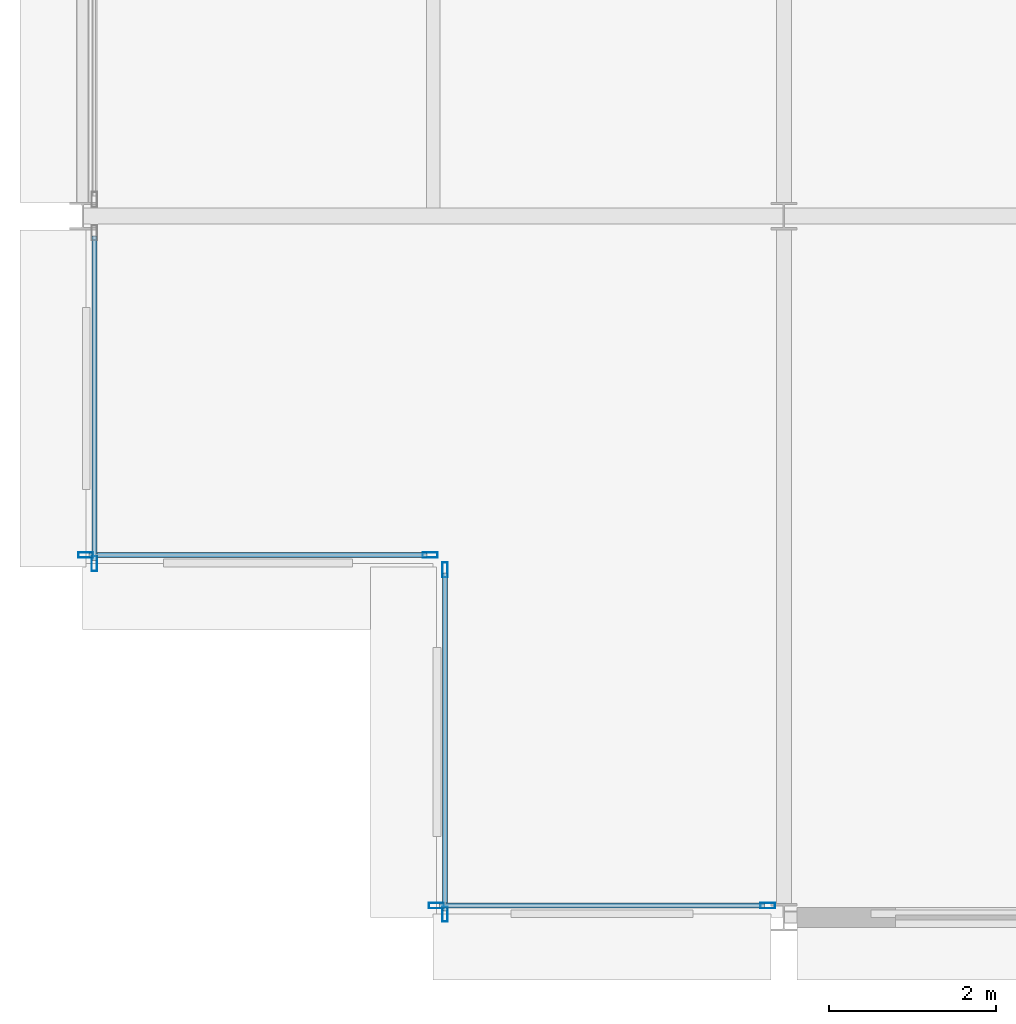
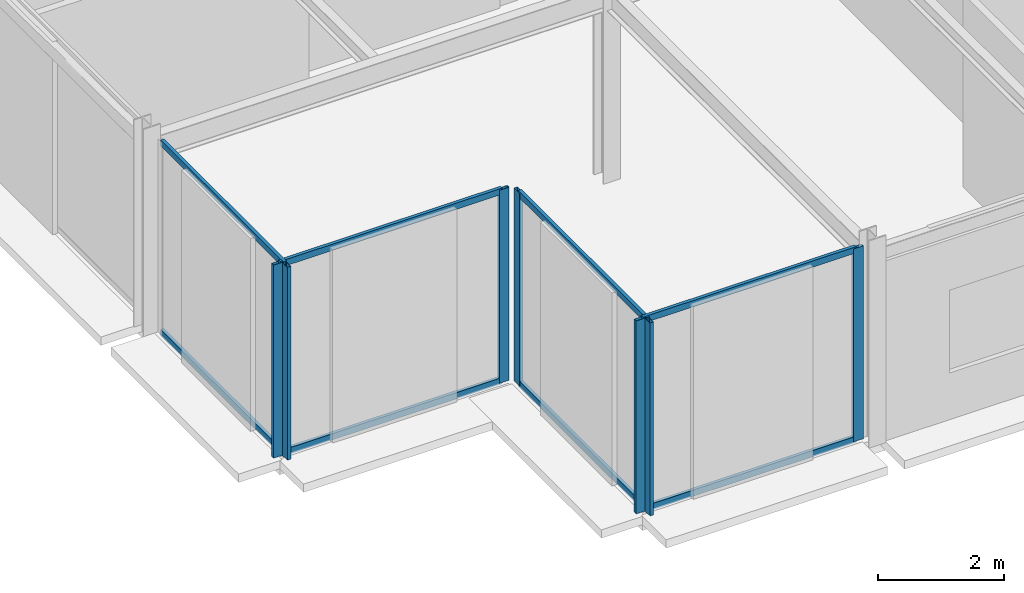
# One storey, part 3 of 27: 15 members, 4 elements without a shape of their own.
"""IFC4 building model written with IfcOpenShell, lengths in metres."""

from ifc_helpers import new_model, si_unit, direction, frame, origin, origin_2d, place, context, subcontext, project, spatial, hollow_rectangle, extrude, material, layer, layer_set, material_profile, profile_set, type_object, element, aggregate, save


model = new_model("IFC4")

# Units and contexts
model_context = context("Model", 3, precision=1e-05, world=origin(), true_north=direction((0.0, 1.0)))
body_context = subcontext(model_context, "Body", "Model", "MODEL_VIEW")
ifc_project = project(units=[si_unit("LENGTHUNIT", "METRE"), si_unit("AREAUNIT", "SQUARE_METRE"), si_unit("VOLUMEUNIT", "CUBIC_METRE"), si_unit("PLANEANGLEUNIT", "RADIAN"), si_unit("MASSUNIT", "GRAM", prefix="KILO")], contexts=[model_context])

# Site, building, storey
site_placement = place(None, origin())
site = spatial("IfcSite", under=ifc_project, at=site_placement, CompositionType="ELEMENT")
building_placement = place(site_placement, origin())
building = spatial("IfcBuilding", under=site, at=building_placement, Name="Nerrivon Quay Data Exchange", CompositionType="ELEMENT")
storey_placement = place(building_placement, frame((0.0, 0.0, 266.199951171875)))
storey = spatial("IfcBuildingStorey", under=building, at=storey_placement, Name="L63", CompositionType="ELEMENT", Elevation=266.199951171875)

# Curtain wall, members
ifc_material = material(Name="Anodised aluminium 6063-T6", Category="aluminium")
ifc_layer = layer(ifc_material, 0.195068359375)
ifc_layer_set = layer_set([ifc_layer], Name="Anodised aluminium 6063-T6")
curtain_wall_type = type_object("IfcCurtainWallType", Name="CW-SYS-06", PredefinedType="NOTDEFINED", material=ifc_layer_set)
curtain_wall_1_placement = place(storey_placement, origin())
curtain_wall_1 = element("IfcCurtainWall", 1, at=curtain_wall_1_placement, inside=storey, type_object=curtain_wall_type, Name="L63 Unitised Curtain Wall 8", PredefinedType="NOTDEFINED")
ifc_material_profile_1 = material_profile(ifc_material, hollow_rectangle(XDim=0.06494140625, YDim=0.179931640625, WallThickness=0.00341796875, at=origin_2d()), Name="ALU-MULL-180x65")
ifc_profile_set_1 = profile_set([ifc_material_profile_1], Name="Anodised aluminium 6063-T6")
member_type_1 = type_object("IfcMemberType", Name="CWM-180x65", PredefinedType="MULLION", material=ifc_profile_set_1)
member_1_placement = place(storey_placement, frame((8.20703125, 0.139892578125, 0.0), z_axis=(0.0, 0.0, 1.0), x_axis=(0.0, -1.0, 0.0)))
member_1 = element("IfcMember", 2, at=member_1_placement, type_object=member_type_1, Name="CW06 mullion 1", PredefinedType="MULLION", context=body_context, shape_type="SweptSolid", body=[
    extrude(hollow_rectangle(XDim=0.06494140625, YDim=0.179931640625, WallThickness=0.00341796875, at=origin_2d()), origin(), (0.0, 0.0, 1.0), 3.72509765625),
])
member_2_placement = place(storey_placement, frame((4.237548828125, 0.139892578125, 0.0), z_axis=(0.0, 0.0, 1.0), x_axis=(0.0, -1.0, 0.0)))
member_2 = element("IfcMember", 3, at=member_2_placement, type_object=member_type_1, Name="CW06 mullion 2", PredefinedType="MULLION", context=body_context, shape_type="SweptSolid", body=[
    extrude(hollow_rectangle(XDim=0.06494140625, YDim=0.179931640625, WallThickness=0.00341796875, at=origin_2d()), origin(), (0.0, 0.0, 1.0), 3.72509765625),
])

curtain_wall_2_placement = place(storey_placement, origin())
curtain_wall_2 = element("IfcCurtainWall", 4, at=curtain_wall_2_placement, inside=storey, type_object=curtain_wall_type, Name="L63 Unitised Curtain Wall 9", PredefinedType="NOTDEFINED")
member_3_placement = place(storey_placement, frame((4.340087890625, 0.03759765625, 0.0), z_axis=(0.0, 0.0, 1.0), x_axis=(-1.0, 0.0, 0.0)))
member_3 = element("IfcMember", 5, at=member_3_placement, type_object=member_type_1, Name="CW06 mullion 1", PredefinedType="MULLION", context=body_context, shape_type="SweptSolid", body=[
    extrude(hollow_rectangle(XDim=0.06494140625, YDim=0.179931640625, WallThickness=0.00341796875, at=origin_2d()), origin(), (0.0, 0.0, 1.0), 3.72509765625),
])
member_4_placement = place(storey_placement, frame((4.340087890625, 4.16259765625, 0.0), z_axis=(0.0, 0.0, 1.0), x_axis=(-1.0, 0.0, 0.0)))
member_4 = element("IfcMember", 6, at=member_4_placement, type_object=member_type_1, Name="CW06 mullion 2", PredefinedType="MULLION", context=body_context, shape_type="SweptSolid", body=[
    extrude(hollow_rectangle(XDim=0.06494140625, YDim=0.179931640625, WallThickness=0.00341796875, at=origin_2d()), origin(), (0.0, 0.0, 1.0), 3.72509765625),
])

curtain_wall_3_placement = place(storey_placement, origin())
curtain_wall_3 = element("IfcCurtainWall", 7, at=curtain_wall_3_placement, inside=storey, type_object=curtain_wall_type, Name="L63 Unitised Curtain Wall 10", PredefinedType="NOTDEFINED")
member_5_placement = place(storey_placement, frame((4.16259765625, 4.340087890625, 0.0), z_axis=(0.0, 0.0, 1.0), x_axis=(0.0, -1.0, 0.0)))
member_5 = element("IfcMember", 8, at=member_5_placement, type_object=member_type_1, Name="CW06 mullion 1", PredefinedType="MULLION", context=body_context, shape_type="SweptSolid", body=[
    extrude(hollow_rectangle(XDim=0.06494140625, YDim=0.179931640625, WallThickness=0.00341796875, at=origin_2d()), origin(), (0.0, 0.0, 1.0), 3.72509765625),
])
member_6_placement = place(storey_placement, frame((0.03759765625, 4.340087890625, 0.0), z_axis=(0.0, 0.0, 1.0), x_axis=(0.0, -1.0, 0.0)))
member_6 = element("IfcMember", 9, at=member_6_placement, type_object=member_type_1, Name="CW06 mullion 2", PredefinedType="MULLION", context=body_context, shape_type="SweptSolid", body=[
    extrude(hollow_rectangle(XDim=0.06494140625, YDim=0.179931640625, WallThickness=0.00341796875, at=origin_2d()), origin(), (0.0, 0.0, 1.0), 3.72509765625),
])

# Curtain wall, member
curtain_wall_4_placement = place(storey_placement, origin())
curtain_wall_4 = element("IfcCurtainWall", 10, at=curtain_wall_4_placement, inside=storey, type_object=curtain_wall_type, Name="L63 Unitised Curtain Wall 11", PredefinedType="NOTDEFINED")
member_7_placement = place(storey_placement, frame((0.139892578125, 4.237548828125, 0.0), z_axis=(0.0, 0.0, 1.0), x_axis=(-1.0, 0.0, 0.0)))
member_7 = element("IfcMember", 11, at=member_7_placement, type_object=member_type_1, Name="CW06 mullion 1", PredefinedType="MULLION", context=body_context, shape_type="SweptSolid", body=[
    extrude(hollow_rectangle(XDim=0.06494140625, YDim=0.179931640625, WallThickness=0.00341796875, at=origin_2d()), origin(), (0.0, 0.0, 1.0), 3.72509765625),
])

# Member
ifc_material_profile_2 = material_profile(ifc_material, hollow_rectangle(XDim=0.06005859375, YDim=0.1201171875, WallThickness=0.003173828125, at=origin_2d()), Name="ALU-TRAN-120x60")
ifc_profile_set_2 = profile_set([ifc_material_profile_2], Name="Anodised aluminium 6063-T6")
member_type_2 = type_object("IfcMemberType", Name="CWT-120x60", PredefinedType="USERDEFINED", material=ifc_profile_set_2)
member_8_placement = place(storey_placement, frame((8.16943359375, 0.139892578125, 0.032470703125), z_axis=(-1.0, 0.0, 0.0), x_axis=(0.0, -1.0, 0.0)))
member_8 = element("IfcMember", 12, at=member_8_placement, type_object=member_type_2, Name="CW06 transom 1.1", ObjectType="TRANSOM", PredefinedType="USERDEFINED", context=body_context, shape_type="SweptSolid", body=[
    extrude(hollow_rectangle(XDim=0.06005859375, YDim=0.1201171875, WallThickness=0.003173828125, at=origin_2d()), origin(), (0.0, 0.0, 1.0), 3.89453125),
])

member_9_placement = place(storey_placement, frame((8.16943359375, 0.139892578125, 3.692626953125), z_axis=(-1.0, 0.0, 0.0), x_axis=(0.0, -1.0, 0.0)))
member_9 = element("IfcMember", 13, at=member_9_placement, type_object=member_type_2, Name="CW06 transom 1.2", ObjectType="TRANSOM", PredefinedType="USERDEFINED", context=body_context, shape_type="SweptSolid", body=[
    extrude(hollow_rectangle(XDim=0.06005859375, YDim=0.1201171875, WallThickness=0.003173828125, at=origin_2d()), origin(), (0.0, 0.0, 1.0), 3.89453125),
])

aggregate(curtain_wall_1, [member_1, member_2, member_8, member_9])

member_10_placement = place(storey_placement, frame((4.340087890625, 0.074951171875, 0.032470703125), z_axis=(0.0, 1.0, 0.0), x_axis=(-1.0, 0.0, 0.0)))
member_10 = element("IfcMember", 14, at=member_10_placement, type_object=member_type_2, Name="CW06 transom 1.1", ObjectType="TRANSOM", PredefinedType="USERDEFINED", context=body_context, shape_type="SweptSolid", body=[
    extrude(hollow_rectangle(XDim=0.06005859375, YDim=0.1201171875, WallThickness=0.003173828125, at=origin_2d()), origin(), (0.0, 0.0, 1.0), 4.050048828125),
])

member_11_placement = place(storey_placement, frame((4.340087890625, 0.074951171875, 3.692626953125), z_axis=(0.0, 1.0, 0.0), x_axis=(-1.0, 0.0, 0.0)))
member_11 = element("IfcMember", 15, at=member_11_placement, type_object=member_type_2, Name="CW06 transom 1.2", ObjectType="TRANSOM", PredefinedType="USERDEFINED", context=body_context, shape_type="SweptSolid", body=[
    extrude(hollow_rectangle(XDim=0.06005859375, YDim=0.1201171875, WallThickness=0.003173828125, at=origin_2d()), origin(), (0.0, 0.0, 1.0), 4.050048828125),
])

aggregate(curtain_wall_2, [member_3, member_4, member_10, member_11])

member_12_placement = place(storey_placement, frame((4.125, 4.340087890625, 0.032470703125), z_axis=(-1.0, 0.0, 0.0), x_axis=(0.0, -1.0, 0.0)))
member_12 = element("IfcMember", 16, at=member_12_placement, type_object=member_type_2, Name="CW06 transom 1.1", ObjectType="TRANSOM", PredefinedType="USERDEFINED", context=body_context, shape_type="SweptSolid", body=[
    extrude(hollow_rectangle(XDim=0.06005859375, YDim=0.1201171875, WallThickness=0.003173828125, at=origin_2d()), origin(), (0.0, 0.0, 1.0), 4.050048828125),
])

member_13_placement = place(storey_placement, frame((4.125, 4.340087890625, 3.692626953125), z_axis=(-1.0, 0.0, 0.0), x_axis=(0.0, -1.0, 0.0)))
member_13 = element("IfcMember", 17, at=member_13_placement, type_object=member_type_2, Name="CW06 transom 1.2", ObjectType="TRANSOM", PredefinedType="USERDEFINED", context=body_context, shape_type="SweptSolid", body=[
    extrude(hollow_rectangle(XDim=0.06005859375, YDim=0.1201171875, WallThickness=0.003173828125, at=origin_2d()), origin(), (0.0, 0.0, 1.0), 4.050048828125),
])

aggregate(curtain_wall_3, [member_5, member_6, member_12, member_13])

member_14_placement = place(storey_placement, frame((0.139892578125, 4.27490234375, 0.032470703125), z_axis=(0.0, 1.0, 0.0), x_axis=(-1.0, 0.0, 0.0)))
member_14 = element("IfcMember", 18, at=member_14_placement, type_object=member_type_2, Name="CW06 transom 1.1", ObjectType="TRANSOM", PredefinedType="USERDEFINED", context=body_context, shape_type="SweptSolid", body=[
    extrude(hollow_rectangle(XDim=0.06005859375, YDim=0.1201171875, WallThickness=0.003173828125, at=origin_2d()), origin(), (0.0, 0.0, 1.0), 3.88671875),
])

member_15_placement = place(storey_placement, frame((0.139892578125, 4.27490234375, 3.692626953125), z_axis=(0.0, 1.0, 0.0), x_axis=(-1.0, 0.0, 0.0)))
member_15 = element("IfcMember", 19, at=member_15_placement, type_object=member_type_2, Name="CW06 transom 1.2", ObjectType="TRANSOM", PredefinedType="USERDEFINED", context=body_context, shape_type="SweptSolid", body=[
    extrude(hollow_rectangle(XDim=0.06005859375, YDim=0.1201171875, WallThickness=0.003173828125, at=origin_2d()), origin(), (0.0, 0.0, 1.0), 3.88671875),
])

aggregate(curtain_wall_4, [member_7, member_14, member_15])

save(model, "model.ifc")
